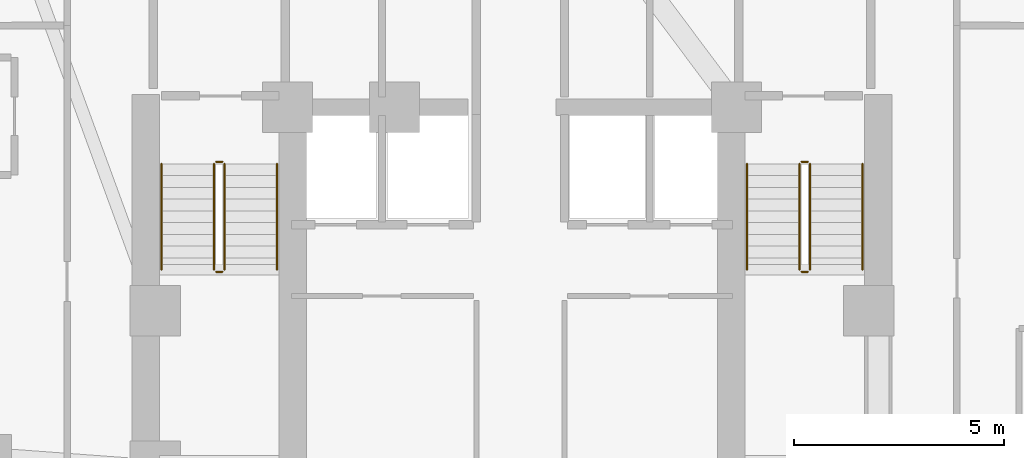
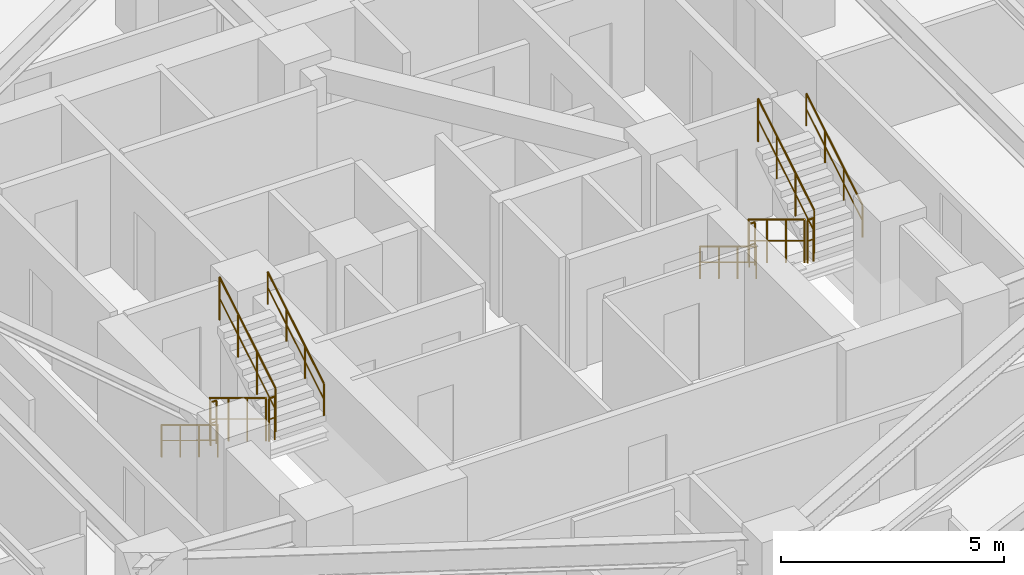
# One storey, part 14 of 14: 12 railings.
"""IFC4 building model written with IfcOpenShell, lengths in metres."""

from ifc_helpers import new_model, si_unit, direction, frame, origin, origin_2d, place, context, subcontext, project, spatial, circle, extrude, material, type_object, element, save


model = new_model("IFC4")

# Units and contexts
model_context = context("Model", 3, precision=1e-05, world=origin(), true_north=direction((0.0, 1.0)))
body_context = subcontext(model_context, "Body", "Model", "MODEL_VIEW")
ifc_project = project(units=[si_unit("LENGTHUNIT", "METRE"), si_unit("AREAUNIT", "SQUARE_METRE"), si_unit("VOLUMEUNIT", "CUBIC_METRE"), si_unit("PLANEANGLEUNIT", "RADIAN"), si_unit("MASSUNIT", "GRAM", prefix="KILO")], contexts=[model_context])

# Site, building, storey
site_placement = place(None, origin())
site = spatial("IfcSite", under=ifc_project, at=site_placement, CompositionType="ELEMENT")
building_placement = place(site_placement, origin())
building = spatial("IfcBuilding", under=site, at=building_placement, Name="Miruveldt Soraemaru", CompositionType="ELEMENT")
storey_placement = place(building_placement, frame((0.0, 0.0, 80.199951171875)))
storey = spatial("IfcBuildingStorey", under=building, at=storey_placement, Name="L22", CompositionType="ELEMENT", Elevation=80.199951171875)

# Railings
ifc_material = material(Name="Steel S355 (355 MPa)", Category="steel")
railing_type_1 = type_object("IfcRailingType", Name="RAIL-HR-900", PredefinedType="HANDRAIL", material=ifc_material)
railing_1_placement = place(storey_placement, frame((35.64990234375, 42.699951171875, 0.170166015625)))
element("IfcRailing", 1, at=railing_1_placement, inside=storey, type_object=railing_type_1, Name="L22 ST-1 stair handrail 1", PredefinedType="HANDRAIL", context=body_context, shape_type="SweptSolid", body=[
    extrude(circle(Radius=0.02392578125, at=origin_2d()), frame((0.0, 0.0, 0.8759765625), z_axis=(0.0, -0.854821627497, 0.518921945155), x_axis=(1.0, 0.0, 0.0)), (0.0, 0.0, 1.0), 2.947998046875),
    extrude(circle(Radius=0.01611328125, at=origin_2d()), frame((0.0, 0.0, 0.449951171875), z_axis=(0.0, -0.854821627497, 0.518921945155), x_axis=(1.0, 0.0, 0.0)), (0.0, 0.0, 1.0), 2.947998046875),
    extrude(circle(Radius=0.02099609375, at=origin_2d()), origin(), (0.0, 0.0, 1.0), 0.851806640625),
    extrude(circle(Radius=0.02099609375, at=origin_2d()), frame((0.0, -0.840087890625, 0.510009765625)), (0.0, 0.0, 1.0), 0.851806640625),
    extrude(circle(Radius=0.02099609375, at=origin_2d()), frame((0.0, -1.679931640625, 1.019775390625)), (0.0, 0.0, 1.0), 0.851806640625),
    extrude(circle(Radius=0.02099609375, at=origin_2d()), frame((0.0, -2.52001953125, 1.52978515625)), (0.0, 0.0, 1.0), 0.851806640625),
])
railing_2_placement = place(storey_placement, frame((38.39990234375, 40.179931640625, 1.8701171875)))
element("IfcRailing", 2, at=railing_2_placement, inside=storey, type_object=railing_type_1, Name="L22 ST-1 stair handrail 2", PredefinedType="HANDRAIL", context=body_context, shape_type="SweptSolid", body=[
    extrude(circle(Radius=0.02392578125, at=origin_2d()), frame((0.0, 0.0, 0.8759765625), z_axis=(0.0, 0.85478489116, 0.518982456201), x_axis=(-1.0, 0.0, 0.0)), (0.0, 0.0, 1.0), 2.9482421875),
    extrude(circle(Radius=0.01611328125, at=origin_2d()), frame((0.0, 0.0, 0.449951171875), z_axis=(0.0, 0.85478489116, 0.518982456201), x_axis=(-1.0, 0.0, 0.0)), (0.0, 0.0, 1.0), 2.9482421875),
    extrude(circle(Radius=0.02099609375, at=origin_2d()), origin(), (0.0, 0.0, 1.0), 0.851806640625),
    extrude(circle(Radius=0.02099609375, at=origin_2d()), frame((0.0, 0.840087890625, 0.510009765625)), (0.0, 0.0, 1.0), 0.851806640625),
    extrude(circle(Radius=0.02099609375, at=origin_2d()), frame((0.0, 1.679931640625, 1.02001953125)), (0.0, 0.0, 1.0), 0.851806640625),
    extrude(circle(Radius=0.02099609375, at=origin_2d()), frame((0.0, 2.52001953125, 1.530029296875)), (0.0, 0.0, 1.0), 0.851806640625),
])
railing_3_placement = place(storey_placement, frame((49.60009765625, 42.699951171875, 0.170166015625)))
element("IfcRailing", 3, at=railing_3_placement, inside=storey, type_object=railing_type_1, Name="L22 ST-2 stair handrail 1", PredefinedType="HANDRAIL", context=body_context, shape_type="SweptSolid", body=[
    extrude(circle(Radius=0.02392578125, at=origin_2d()), frame((0.0, 0.0, 0.8759765625), z_axis=(0.0, -0.854821627497, 0.518921945155), x_axis=(1.0, 0.0, 0.0)), (0.0, 0.0, 1.0), 2.947998046875),
    extrude(circle(Radius=0.01611328125, at=origin_2d()), frame((0.0, 0.0, 0.449951171875), z_axis=(0.0, -0.854821627497, 0.518921945155), x_axis=(1.0, 0.0, 0.0)), (0.0, 0.0, 1.0), 2.947998046875),
    extrude(circle(Radius=0.02099609375, at=origin_2d()), origin(), (0.0, 0.0, 1.0), 0.851806640625),
    extrude(circle(Radius=0.02099609375, at=origin_2d()), frame((0.0, -0.840087890625, 0.510009765625)), (0.0, 0.0, 1.0), 0.851806640625),
    extrude(circle(Radius=0.02099609375, at=origin_2d()), frame((0.0, -1.679931640625, 1.019775390625)), (0.0, 0.0, 1.0), 0.851806640625),
    extrude(circle(Radius=0.02099609375, at=origin_2d()), frame((0.0, -2.52001953125, 1.52978515625)), (0.0, 0.0, 1.0), 0.851806640625),
])
railing_4_placement = place(storey_placement, frame((52.35009765625, 40.179931640625, 1.8701171875)))
element("IfcRailing", 4, at=railing_4_placement, inside=storey, type_object=railing_type_1, Name="L22 ST-2 stair handrail 2", PredefinedType="HANDRAIL", context=body_context, shape_type="SweptSolid", body=[
    extrude(circle(Radius=0.02392578125, at=origin_2d()), frame((0.0, 0.0, 0.8759765625), z_axis=(0.0, 0.85478489116, 0.518982456201), x_axis=(-1.0, 0.0, 0.0)), (0.0, 0.0, 1.0), 2.9482421875),
    extrude(circle(Radius=0.01611328125, at=origin_2d()), frame((0.0, 0.0, 0.449951171875), z_axis=(0.0, 0.85478489116, 0.518982456201), x_axis=(-1.0, 0.0, 0.0)), (0.0, 0.0, 1.0), 2.9482421875),
    extrude(circle(Radius=0.02099609375, at=origin_2d()), origin(), (0.0, 0.0, 1.0), 0.851806640625),
    extrude(circle(Radius=0.02099609375, at=origin_2d()), frame((0.0, 0.840087890625, 0.510009765625)), (0.0, 0.0, 1.0), 0.851806640625),
    extrude(circle(Radius=0.02099609375, at=origin_2d()), frame((0.0, 1.679931640625, 1.02001953125)), (0.0, 0.0, 1.0), 0.851806640625),
    extrude(circle(Radius=0.02099609375, at=origin_2d()), frame((0.0, 2.52001953125, 1.530029296875)), (0.0, 0.0, 1.0), 0.851806640625),
])
railing_type_2 = type_object("IfcRailingType", Name="RAIL-STGUARD-1200", PredefinedType="GUARDRAIL", material=ifc_material)
railing_5_placement = place(storey_placement, frame((36.89990234375, 42.699951171875, 0.170166015625)))
element("IfcRailing", 5, at=railing_5_placement, inside=storey, type_object=railing_type_2, Name="L22 ST-1 stair guard 1", PredefinedType="GUARDRAIL", context=body_context, shape_type="SweptSolid", body=[
    extrude(circle(Radius=0.02392578125, at=origin_2d()), frame((0.0, 0.0, 1.17578125), z_axis=(0.0, -0.854821627497, 0.518921945155), x_axis=(1.0, 0.0, 0.0)), (0.0, 0.0, 1.0), 2.947998046875),
    extrude(circle(Radius=0.01611328125, at=origin_2d()), frame((0.0, 0.0, 0.60009765625), z_axis=(0.0, -0.854821627497, 0.518921945155), x_axis=(1.0, 0.0, 0.0)), (0.0, 0.0, 1.0), 2.947998046875),
    extrude(circle(Radius=0.02099609375, at=origin_2d()), origin(), (0.0, 0.0, 1.0), 1.15185546875),
    extrude(circle(Radius=0.02099609375, at=origin_2d()), frame((0.0, -0.840087890625, 0.510009765625)), (0.0, 0.0, 1.0), 1.15185546875),
    extrude(circle(Radius=0.02099609375, at=origin_2d()), frame((0.0, -1.679931640625, 1.019775390625)), (0.0, 0.0, 1.0), 1.15185546875),
    extrude(circle(Radius=0.02099609375, at=origin_2d()), frame((0.0, -2.52001953125, 1.52978515625)), (0.0, 0.0, 1.0), 1.15185546875),
])
railing_6_placement = place(storey_placement, frame((36.949951171875, 40.1298828125, 1.699951171875)))
element("IfcRailing", 6, at=railing_6_placement, inside=storey, type_object=railing_type_2, Name="L22 ST-1 stair guard 2", PredefinedType="GUARDRAIL", context=body_context, shape_type="SweptSolid", body=[
    extrude(circle(Radius=0.02392578125, at=origin_2d()), frame((0.0, 0.0, 1.17578125), z_axis=(1.0, 0.0, 0.0), x_axis=(0.0, 1.0, 0.0)), (0.0, 0.0, 1.0), 0.150146484375),
    extrude(circle(Radius=0.01611328125, at=origin_2d()), frame((0.0, 0.0, 0.60009765625), z_axis=(1.0, 0.0, 0.0), x_axis=(0.0, 1.0, 0.0)), (0.0, 0.0, 1.0), 0.150146484375),
    extrude(circle(Radius=0.02099609375, at=origin_2d()), origin(), (0.0, 0.0, 1.0), 1.15185546875),
    extrude(circle(Radius=0.02099609375, at=origin_2d()), frame((0.150146484375, 0.0, 0.0)), (0.0, 0.0, 1.0), 1.15185546875),
])
railing_7_placement = place(storey_placement, frame((37.14990234375, 40.179931640625, 1.8701171875)))
element("IfcRailing", 7, at=railing_7_placement, inside=storey, type_object=railing_type_2, Name="L22 ST-1 stair guard 3", PredefinedType="GUARDRAIL", context=body_context, shape_type="SweptSolid", body=[
    extrude(circle(Radius=0.02392578125, at=origin_2d()), frame((0.0, 0.0, 1.17578125), z_axis=(0.0, 0.85478489116, 0.518982456201), x_axis=(-1.0, 0.0, 0.0)), (0.0, 0.0, 1.0), 2.9482421875),
    extrude(circle(Radius=0.01611328125, at=origin_2d()), frame((0.0, 0.0, 0.60009765625), z_axis=(0.0, 0.85478489116, 0.518982456201), x_axis=(-1.0, 0.0, 0.0)), (0.0, 0.0, 1.0), 2.9482421875),
    extrude(circle(Radius=0.02099609375, at=origin_2d()), origin(), (0.0, 0.0, 1.0), 1.15185546875),
    extrude(circle(Radius=0.02099609375, at=origin_2d()), frame((0.0, 0.840087890625, 0.510009765625)), (0.0, 0.0, 1.0), 1.15185546875),
    extrude(circle(Radius=0.02099609375, at=origin_2d()), frame((0.0, 1.679931640625, 1.02001953125)), (0.0, 0.0, 1.0), 1.15185546875),
    extrude(circle(Radius=0.02099609375, at=origin_2d()), frame((0.0, 2.52001953125, 1.530029296875)), (0.0, 0.0, 1.0), 1.15185546875),
])
railing_8_placement = place(storey_placement, frame((36.949951171875, 42.75, 0.0)))
element("IfcRailing", 8, at=railing_8_placement, inside=storey, type_object=railing_type_2, Name="L22 ST-1 stair guard 4", PredefinedType="GUARDRAIL", context=body_context, shape_type="SweptSolid", body=[
    extrude(circle(Radius=0.02392578125, at=origin_2d()), frame((0.0, 0.0, 1.17578125), z_axis=(1.0, 0.0, 0.0), x_axis=(0.0, 1.0, 0.0)), (0.0, 0.0, 1.0), 0.150146484375),
    extrude(circle(Radius=0.01611328125, at=origin_2d()), frame((0.0, 0.0, 0.60009765625), z_axis=(1.0, 0.0, 0.0), x_axis=(0.0, 1.0, 0.0)), (0.0, 0.0, 1.0), 0.150146484375),
    extrude(circle(Radius=0.02099609375, at=origin_2d()), origin(), (0.0, 0.0, 1.0), 1.15185546875),
    extrude(circle(Radius=0.02099609375, at=origin_2d()), frame((0.150146484375, 0.0, 0.0)), (0.0, 0.0, 1.0), 1.15185546875),
])
railing_9_placement = place(storey_placement, frame((50.85009765625, 42.699951171875, 0.170166015625)))
element("IfcRailing", 9, at=railing_9_placement, inside=storey, type_object=railing_type_2, Name="L22 ST-2 stair guard 1", PredefinedType="GUARDRAIL", context=body_context, shape_type="SweptSolid", body=[
    extrude(circle(Radius=0.02392578125, at=origin_2d()), frame((0.0, 0.0, 1.17578125), z_axis=(0.0, -0.854821627497, 0.518921945155), x_axis=(1.0, 0.0, 0.0)), (0.0, 0.0, 1.0), 2.947998046875),
    extrude(circle(Radius=0.01611328125, at=origin_2d()), frame((0.0, 0.0, 0.60009765625), z_axis=(0.0, -0.854821627497, 0.518921945155), x_axis=(1.0, 0.0, 0.0)), (0.0, 0.0, 1.0), 2.947998046875),
    extrude(circle(Radius=0.02099609375, at=origin_2d()), origin(), (0.0, 0.0, 1.0), 1.15185546875),
    extrude(circle(Radius=0.02099609375, at=origin_2d()), frame((0.0, -0.840087890625, 0.510009765625)), (0.0, 0.0, 1.0), 1.15185546875),
    extrude(circle(Radius=0.02099609375, at=origin_2d()), frame((0.0, -1.679931640625, 1.019775390625)), (0.0, 0.0, 1.0), 1.15185546875),
    extrude(circle(Radius=0.02099609375, at=origin_2d()), frame((0.0, -2.52001953125, 1.52978515625)), (0.0, 0.0, 1.0), 1.15185546875),
])
railing_10_placement = place(storey_placement, frame((50.89990234375, 40.1298828125, 1.699951171875)))
element("IfcRailing", 10, at=railing_10_placement, inside=storey, type_object=railing_type_2, Name="L22 ST-2 stair guard 2", PredefinedType="GUARDRAIL", context=body_context, shape_type="SweptSolid", body=[
    extrude(circle(Radius=0.02392578125, at=origin_2d()), frame((0.0, 0.0, 1.17578125), z_axis=(1.0, 0.0, 0.0), x_axis=(0.0, 1.0, 0.0)), (0.0, 0.0, 1.0), 0.150146484375),
    extrude(circle(Radius=0.01611328125, at=origin_2d()), frame((0.0, 0.0, 0.60009765625), z_axis=(1.0, 0.0, 0.0), x_axis=(0.0, 1.0, 0.0)), (0.0, 0.0, 1.0), 0.150146484375),
    extrude(circle(Radius=0.02099609375, at=origin_2d()), origin(), (0.0, 0.0, 1.0), 1.15185546875),
    extrude(circle(Radius=0.02099609375, at=origin_2d()), frame((0.150146484375, 0.0, 0.0)), (0.0, 0.0, 1.0), 1.15185546875),
])
railing_11_placement = place(storey_placement, frame((51.10009765625, 40.179931640625, 1.8701171875)))
element("IfcRailing", 11, at=railing_11_placement, inside=storey, type_object=railing_type_2, Name="L22 ST-2 stair guard 3", PredefinedType="GUARDRAIL", context=body_context, shape_type="SweptSolid", body=[
    extrude(circle(Radius=0.02392578125, at=origin_2d()), frame((0.0, 0.0, 1.17578125), z_axis=(0.0, 0.85478489116, 0.518982456201), x_axis=(-1.0, 0.0, 0.0)), (0.0, 0.0, 1.0), 2.9482421875),
    extrude(circle(Radius=0.01611328125, at=origin_2d()), frame((0.0, 0.0, 0.60009765625), z_axis=(0.0, 0.85478489116, 0.518982456201), x_axis=(-1.0, 0.0, 0.0)), (0.0, 0.0, 1.0), 2.9482421875),
    extrude(circle(Radius=0.02099609375, at=origin_2d()), origin(), (0.0, 0.0, 1.0), 1.15185546875),
    extrude(circle(Radius=0.02099609375, at=origin_2d()), frame((0.0, 0.840087890625, 0.510009765625)), (0.0, 0.0, 1.0), 1.15185546875),
    extrude(circle(Radius=0.02099609375, at=origin_2d()), frame((0.0, 1.679931640625, 1.02001953125)), (0.0, 0.0, 1.0), 1.15185546875),
    extrude(circle(Radius=0.02099609375, at=origin_2d()), frame((0.0, 2.52001953125, 1.530029296875)), (0.0, 0.0, 1.0), 1.15185546875),
])
railing_12_placement = place(storey_placement, frame((50.89990234375, 42.75, 0.0)))
element("IfcRailing", 12, at=railing_12_placement, inside=storey, type_object=railing_type_2, Name="L22 ST-2 stair guard 4", PredefinedType="GUARDRAIL", context=body_context, shape_type="SweptSolid", body=[
    extrude(circle(Radius=0.02392578125, at=origin_2d()), frame((0.0, 0.0, 1.17578125), z_axis=(1.0, 0.0, 0.0), x_axis=(0.0, 1.0, 0.0)), (0.0, 0.0, 1.0), 0.150146484375),
    extrude(circle(Radius=0.01611328125, at=origin_2d()), frame((0.0, 0.0, 0.60009765625), z_axis=(1.0, 0.0, 0.0), x_axis=(0.0, 1.0, 0.0)), (0.0, 0.0, 1.0), 0.150146484375),
    extrude(circle(Radius=0.02099609375, at=origin_2d()), origin(), (0.0, 0.0, 1.0), 1.15185546875),
    extrude(circle(Radius=0.02099609375, at=origin_2d()), frame((0.150146484375, 0.0, 0.0)), (0.0, 0.0, 1.0), 1.15185546875),
])

save(model, "model.ifc")
